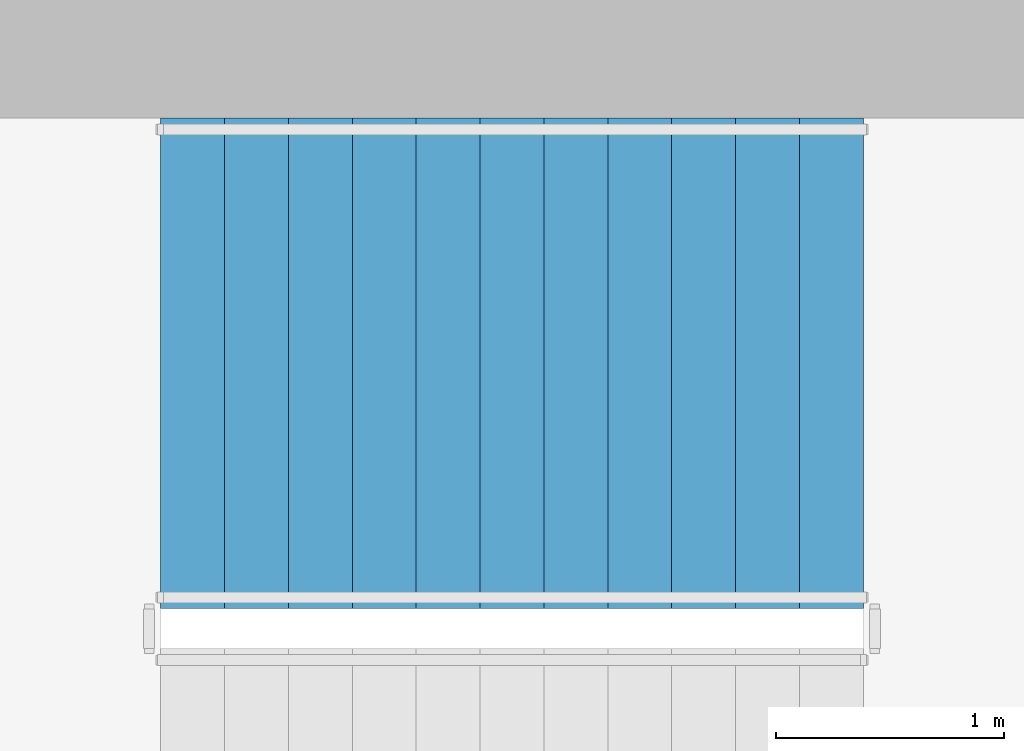
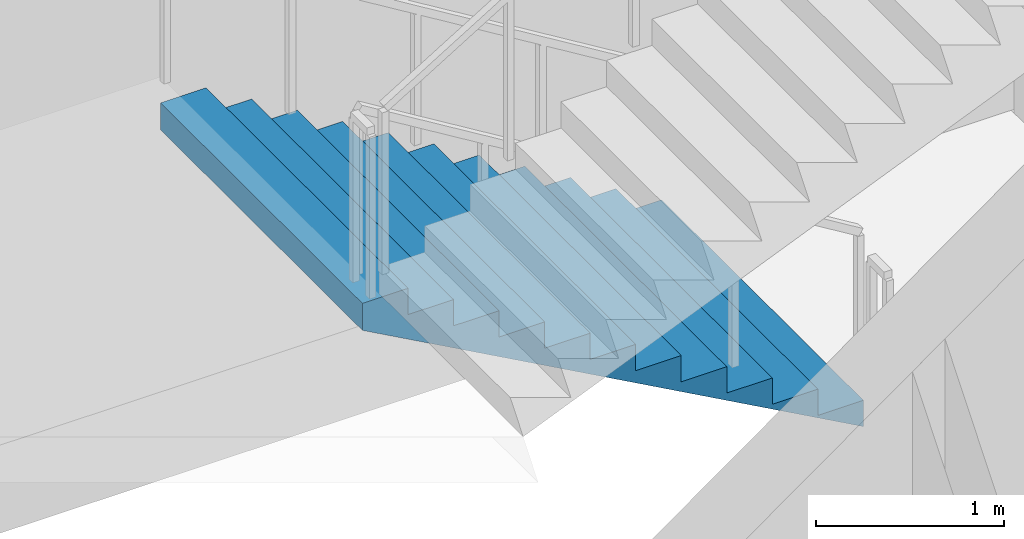
# One storey, part 9 of 14: 1 stair flight, 1 element without a shape of its own.
"""IFC4 building model written with IfcOpenShell, lengths in metres."""

from ifc_helpers import new_model, si_unit, direction, frame, origin, place, context, subcontext, project, spatial, triangles, material, type_object, element, aggregate, save


model = new_model("IFC4")

# Units and contexts
model_context = context("Model", 3, precision=1e-05, world=origin(), true_north=direction((0.0, 1.0)))
body_context = subcontext(model_context, "Body", "Model", "MODEL_VIEW")
ifc_project = project(units=[si_unit("LENGTHUNIT", "METRE"), si_unit("AREAUNIT", "SQUARE_METRE"), si_unit("VOLUMEUNIT", "CUBIC_METRE"), si_unit("PLANEANGLEUNIT", "RADIAN"), si_unit("MASSUNIT", "GRAM", prefix="KILO")], contexts=[model_context])

# Site, building, storey
site_placement = place(None, origin())
site = spatial("IfcSite", under=ifc_project, at=site_placement, CompositionType="ELEMENT")
building_placement = place(site_placement, origin())
building = spatial("IfcBuilding", under=site, at=building_placement, Name="Cypress Arch Tower", CompositionType="ELEMENT")
storey_placement = place(building_placement, frame((0.0, 0.0, 284.39990234375)))
storey = spatial("IfcBuildingStorey", under=building, at=storey_placement, Name="L64", CompositionType="ELEMENT", Elevation=284.39990234375)

# Stair, stair flight
ifc_material_1 = material(Name="Concrete C40/50", Category="concrete")
stair_type = type_object("IfcStairType", Name="Exit stair ES1708-215", PredefinedType="HALF_TURN_STAIR", material=ifc_material_1)
stair_placement = place(storey_placement, origin())
stair = element("IfcStair", 1, at=stair_placement, inside=storey, type_object=stair_type, Name="L64 Exit stair B", PredefinedType="HALF_TURN_STAIR")
ifc_material_2 = material(Name="Concrete C40/50", Category="concrete")
stair_flight_type = type_object("IfcStairFlightType", Name="Exit stair flight ES1708-215", PredefinedType="STRAIGHT", material=ifc_material_2)
stair_flight_placement = place(storey_placement, frame((-22.27490234375, 13.72509765625, 0.0), z_axis=(0.0, 0.0, 1.0), x_axis=(-1.0, 0.0, 0.0)))
stair_flight = element("IfcStairFlight", 2, at=stair_flight_placement, type_object=stair_flight_type, Name="B flight 1", NumberOfRisers=12, NumberOfTreads=11, PredefinedType="STRAIGHT", RiserHeight=0.170833333, TreadLength=0.28, context=body_context, shape_type="Tessellation", body=[
    triangles([(0.0, -1.074951171875, 0.0), (0.000244140625, -1.074951171875, 0.01904296875), (0.000244140625, -1.074951171875, 0.0380859375), (0.00048828125, -1.074951171875, 0.056884765625), (0.00048828125, -1.074951171875, 0.075927734375), (0.00048828125, -1.074951171875, 0.094970703125), (0.00048828125, -1.074951171875, 0.114013671875), (0.000244140625, -1.074951171875, 0.1328125), (0.000244140625, -1.074951171875, 0.15185546875), (0.0, -1.074951171875, 0.1708984375), (0.280029296875, -1.074951171875, 0.1708984375), (0.280029296875, -1.074951171875, 0.341552734375), (0.56005859375, -1.074951171875, 0.341552734375), (0.56005859375, -1.074951171875, 0.512451171875), (0.840087890625, -1.074951171875, 0.512451171875), (0.840087890625, -1.074951171875, 0.683349609375), (1.1201171875, -1.074951171875, 0.683349609375), (1.1201171875, -1.074951171875, 0.854248046875), (1.39990234375, -1.074951171875, 0.854248046875), (1.39990234375, -1.074951171875, 1.02490234375), (1.679931640625, -1.074951171875, 1.02490234375), (1.679931640625, -1.074951171875, 1.19580078125), (1.9599609375, -1.074951171875, 1.19580078125), (1.9599609375, -1.074951171875, 1.36669921875), (2.239990234375, -1.074951171875, 1.36669921875), (2.239990234375, -1.074951171875, 1.53759765625), (2.52001953125, -1.074951171875, 1.53759765625), (2.52001953125, -1.074951171875, 1.708251953125), (2.800048828125, -1.074951171875, 1.708251953125), (2.800048828125, -1.074951171875, 1.879150390625), (3.080078125, -1.074951171875, 1.879150390625), (3.079833984375, -1.074951171875, 1.859619140625), (3.079833984375, -1.074951171875, 1.840087890625), (3.07958984375, -1.074951171875, 1.820556640625), (3.07958984375, -1.074951171875, 1.801025390625), (3.07958984375, -1.074951171875, 1.78173828125), (3.07958984375, -1.074951171875, 1.76220703125), (3.079833984375, -1.074951171875, 1.74267578125), (3.079833984375, -1.074951171875, 1.72314453125), (3.080078125, -1.074951171875, 1.70361328125), (3.080078125, 1.074951171875, 1.70361328125), (3.079833984375, 1.074951171875, 1.72314453125), (3.079833984375, 1.074951171875, 1.74267578125), (3.07958984375, 1.074951171875, 1.76220703125), (3.07958984375, 1.074951171875, 1.78173828125), (3.07958984375, 1.074951171875, 1.801025390625), (3.07958984375, 1.074951171875, 1.820556640625), (3.079833984375, 1.074951171875, 1.840087890625), (3.079833984375, 1.074951171875, 1.859619140625), (3.080078125, 1.074951171875, 1.879150390625), (2.800048828125, 1.074951171875, 1.879150390625), (2.800048828125, 1.074951171875, 1.708251953125), (2.52001953125, 1.074951171875, 1.708251953125), (2.52001953125, 1.074951171875, 1.53759765625), (2.239990234375, 1.074951171875, 1.53759765625), (2.239990234375, 1.074951171875, 1.36669921875), (1.9599609375, 1.074951171875, 1.36669921875), (1.9599609375, 1.074951171875, 1.19580078125), (1.679931640625, 1.074951171875, 1.19580078125), (1.679931640625, 1.074951171875, 1.02490234375), (1.39990234375, 1.074951171875, 1.02490234375), (1.39990234375, 1.074951171875, 0.854248046875), (1.1201171875, 1.074951171875, 0.854248046875), (1.1201171875, 1.074951171875, 0.683349609375), (0.840087890625, 1.074951171875, 0.683349609375), (0.840087890625, 1.074951171875, 0.512451171875), (0.56005859375, 1.074951171875, 0.512451171875), (0.56005859375, 1.074951171875, 0.341552734375), (0.280029296875, 1.074951171875, 0.341552734375), (0.280029296875, 1.074951171875, 0.1708984375), (0.0, 1.074951171875, 0.1708984375), (0.000244140625, 1.074951171875, 0.15185546875), (0.000244140625, 1.074951171875, 0.1328125), (0.00048828125, 1.074951171875, 0.114013671875), (0.00048828125, 1.074951171875, 0.094970703125), (0.00048828125, 1.074951171875, 0.075927734375), (0.00048828125, 1.074951171875, 0.056884765625), (0.000244140625, 1.074951171875, 0.0380859375), (0.000244140625, 1.074951171875, 0.01904296875), (0.0, 1.074951171875, 0.0)], [[40, 39, 30], [39, 38, 30], [38, 37, 30], [37, 36, 30], [36, 35, 30], [35, 34, 30], [34, 33, 30], [33, 32, 30], [32, 31, 30], [19, 18, 17], [27, 26, 25], [25, 24, 23], [23, 22, 21], [17, 16, 15], [15, 14, 13], [10, 9, 11], [9, 8, 11], [8, 7, 11], [7, 6, 11], [6, 5, 11], [5, 4, 11], [4, 3, 11], [3, 2, 11], [2, 1, 11], [29, 28, 27], [21, 20, 19], [13, 12, 11], [40, 30, 29], [40, 29, 27], [40, 27, 25], [40, 25, 23], [40, 23, 21], [40, 21, 19], [40, 19, 17], [40, 17, 15], [40, 15, 13], [1, 40, 13], [13, 11, 1], [41, 51, 42], [42, 51, 43], [43, 51, 44], [44, 51, 45], [45, 51, 46], [46, 51, 47], [47, 51, 48], [48, 51, 49], [49, 51, 50], [62, 64, 63], [54, 56, 55], [56, 58, 57], [58, 60, 59], [64, 66, 65], [66, 68, 67], [71, 70, 72], [72, 70, 73], [73, 70, 74], [74, 70, 75], [75, 70, 76], [76, 70, 77], [77, 70, 78], [78, 70, 79], [79, 70, 80], [52, 54, 53], [60, 62, 61], [68, 70, 69], [41, 52, 51], [41, 54, 52], [41, 56, 54], [41, 58, 56], [41, 60, 58], [41, 62, 60], [41, 64, 62], [41, 66, 64], [41, 68, 66], [80, 68, 41], [68, 80, 70], [41, 42, 39], [41, 39, 40], [42, 43, 38], [42, 38, 39], [43, 44, 37], [43, 37, 38], [44, 45, 36], [44, 36, 37], [45, 46, 35], [45, 35, 36], [46, 47, 34], [46, 34, 35], [47, 48, 33], [47, 33, 34], [48, 49, 32], [48, 32, 33], [49, 50, 31], [49, 31, 32], [50, 51, 30], [50, 30, 31], [51, 52, 29], [51, 29, 30], [52, 53, 28], [52, 28, 29], [53, 54, 27], [53, 27, 28], [54, 55, 26], [54, 26, 27], [55, 56, 25], [55, 25, 26], [56, 57, 24], [56, 24, 25], [57, 58, 23], [57, 23, 24], [58, 59, 22], [58, 22, 23], [59, 60, 21], [59, 21, 22], [60, 61, 20], [60, 20, 21], [61, 62, 19], [61, 19, 20], [62, 63, 18], [62, 18, 19], [63, 64, 17], [63, 17, 18], [64, 65, 16], [64, 16, 17], [65, 66, 15], [65, 15, 16], [66, 67, 14], [66, 14, 15], [67, 68, 13], [67, 13, 14], [68, 69, 12], [68, 12, 13], [69, 70, 11], [69, 11, 12], [70, 71, 10], [70, 10, 11], [71, 72, 9], [71, 9, 10], [72, 73, 8], [72, 8, 9], [73, 74, 7], [73, 7, 8], [74, 75, 6], [74, 6, 7], [75, 76, 5], [75, 5, 6], [76, 77, 4], [76, 4, 5], [77, 78, 3], [77, 3, 4], [78, 79, 2], [78, 2, 3], [79, 80, 1], [79, 1, 2], [80, 41, 40], [80, 40, 1]], closed=True),
])
aggregate(stair, [stair_flight])

save(model, "model.ifc")
